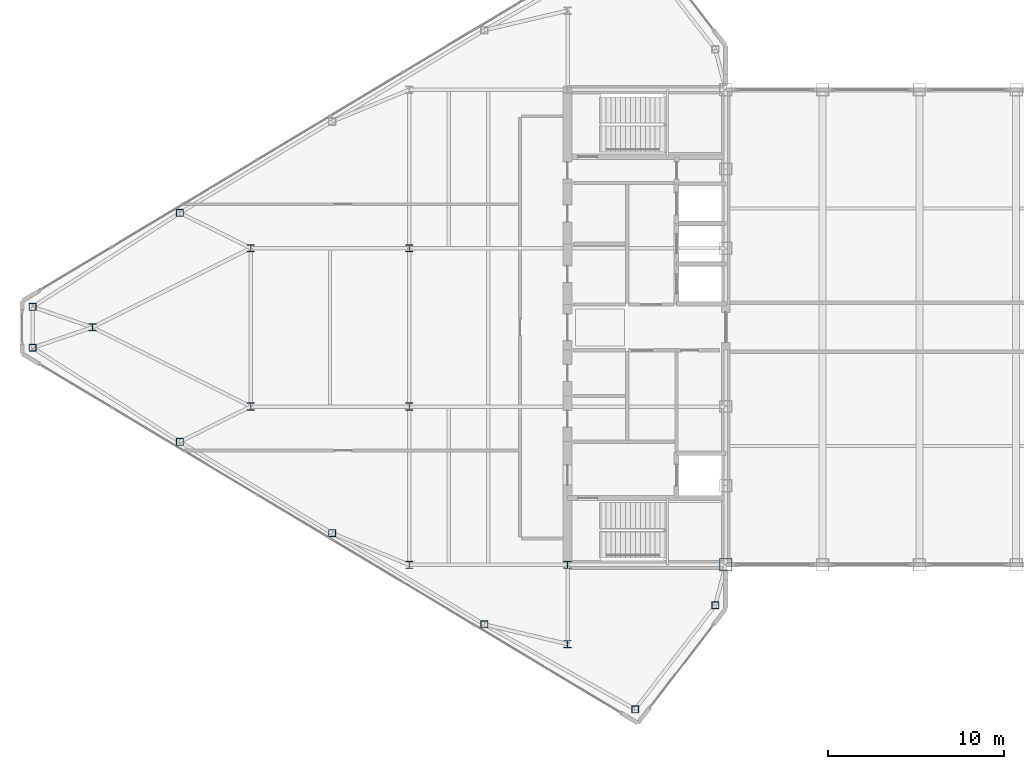
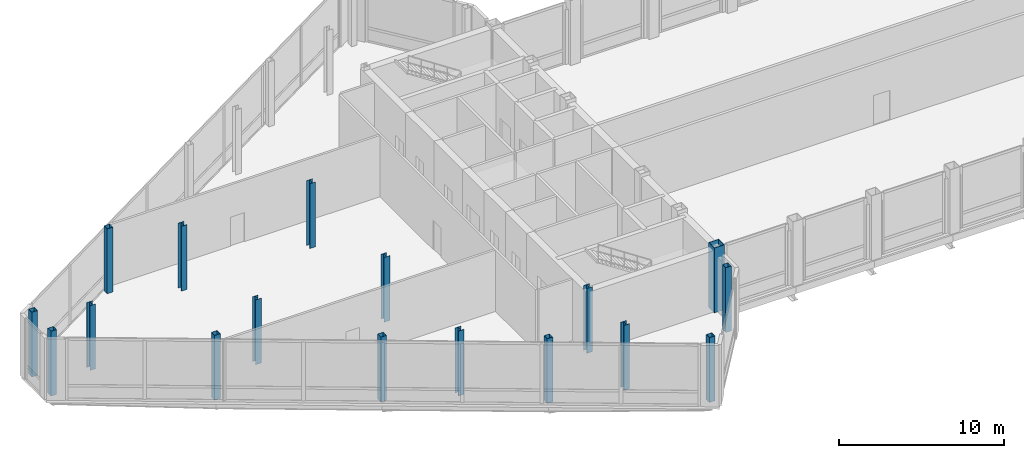
# One storey, part 1 of 29: 17 columns.
"""IFC4 building model written with IfcOpenShell, lengths in metres."""

from ifc_helpers import new_model, si_unit, direction, frame, origin, origin_2d, place, context, subcontext, project, spatial, hollow_rectangle, i_section, extrude, source, transform, mapped, material, material_profile, profile_set, type_object, type_shapes, element, save


model = new_model("IFC4")

# Units and contexts
model_context = context("Model", 3, precision=1e-05, world=origin(), true_north=direction((0.0, 1.0)))
body_context = subcontext(model_context, "Body", "Model", "MODEL_VIEW")
ifc_project = project(units=[si_unit("LENGTHUNIT", "METRE"), si_unit("AREAUNIT", "SQUARE_METRE"), si_unit("VOLUMEUNIT", "CUBIC_METRE"), si_unit("PLANEANGLEUNIT", "RADIAN"), si_unit("MASSUNIT", "GRAM", prefix="KILO")], contexts=[model_context])

# Site, building, storey
site_placement = place(None, origin())
site = spatial("IfcSite", under=ifc_project, at=site_placement, CompositionType="ELEMENT")
building_placement = place(site_placement, origin())
building = spatial("IfcBuilding", under=site, at=building_placement, Name="Seokmaru Belvedere", CompositionType="ELEMENT")
storey_placement = place(building_placement, frame((0.0, 0.0, 269.39990234375)))
storey = spatial("IfcBuildingStorey", under=building, at=storey_placement, Name="L71", CompositionType="ELEMENT", Elevation=269.39990234375)

# Columns
ifc_material = material(Name="Steel SM355 (355 MPa)", Category="steel")
ifc_material_profile_1 = material_profile(ifc_material, hollow_rectangle(XDim=0.699951171875, YDim=0.699951171875, WallThickness=0.030029296875, at=origin_2d()), Name="BOX-700x700x30")
ifc_profile_set_1 = profile_set([ifc_material_profile_1], Name="Steel SM355 (355 MPa)")
column_type_1 = type_object("IfcColumnType", Name="Upper Spine Column BOX-700", PredefinedType="COLUMN", material=ifc_profile_set_1)
shared_shape_1 = source(origin(), body_context, "Body", "SweptSolid", [
    extrude(hollow_rectangle(XDim=0.699951171875, YDim=0.699951171875, WallThickness=0.030029296875, at=origin_2d()), origin(), (0.0, 0.0, 1.0), 4.800048828125),
])
type_shapes(column_type_1, [shared_shape_1])
column_placement = place(storey_placement, frame((-27.5, -13.5, 0.0), z_axis=(0.0, 0.0, 1.0), x_axis=(1.0, 0.0, 0.0)))
element("IfcColumn", 1, at=column_placement, inside=storey, type_object=column_type_1, Name="L71 Column WS1", PredefinedType="COLUMN", context=body_context, shape_type="MappedRepresentation", body=[
    mapped(shared_shape_1, transform((0.0, 0.0, 0.0), scale=1.0)),
])
ifc_material_profile_2 = material_profile(ifc_material, hollow_rectangle(XDim=0.39990234375, YDim=0.39990234375, WallThickness=0.01611328125, at=origin_2d()), Name="HSS-400x400x16")
ifc_profile_set_2 = profile_set([ifc_material_profile_2], Name="Steel SM355 (355 MPa)")
column_type_2 = type_object("IfcColumnType", Name="Perimeter Facet Column HSS-400", PredefinedType="COLUMN", material=ifc_profile_set_2)
shared_shape_2 = source(origin(), body_context, "Body", "SweptSolid", [
    extrude(hollow_rectangle(XDim=0.39990234375, YDim=0.39990234375, WallThickness=0.01611328125, at=origin_2d()), origin(), (0.0, 0.0, 1.0), 4.800048828125),
])
type_shapes(column_type_2, [shared_shape_2])
for number, where, z_axis, x_axis, name in (
    (2, (-28.10009765625, -15.7958984375, 0.0), (0.0, 0.0, 1.0), (1.0, 0.0, 0.0), "L71 Column WF1"),
    (3, (-66.89990234375, 1.160400390625, 0.0), (0.0, 0.0, 1.0), (1.0, 0.0, 0.0), "L71 Column WF4"),
    (4, (-66.89990234375, -1.160400390625, 0.0), (0.0, 0.0, 1.0), (1.0, 0.0, 0.0), "L71 Column WF5"),
    (5, (-32.649658203125, -21.71044921875, 0.0), (0.0, 0.0, 1.0), (1.0, 0.0, 0.0), "L71 Column WF6"),
    (6, (-41.229736328125, -16.888916015625, 0.0), (0.0, 0.0, 1.0), (1.0, 0.0, 0.0), "L71 Column WFLK_S1"),
    (7, (-49.8798828125, -11.698974609375, 0.0), (0.0, 0.0, 1.0), (1.0, 0.0, 0.0), "L71 Column WFLK_S2"),
    (8, (-58.530029296875, -6.5087890625, 0.0), (0.0, 0.0, 1.0), (1.0, 0.0, 0.0), "L71 Column WFLK_S3"),
    (9, (-58.530029296875, 6.5087890625, 0.0), (0.0, 0.0, 1.0), (1.0, 0.0, 0.0), "L71 Column WFLK_N3"),
):
    element("IfcColumn", number, at=place(storey_placement, frame(where, z_axis=z_axis, x_axis=x_axis)), inside=storey, type_object=column_type_2, Name=name, PredefinedType="COLUMN", context=body_context, shape_type="MappedRepresentation", body=[
        mapped(shared_shape_2, transform((0.0, 0.0, 0.0), scale=1.0)),
    ])
ifc_material_profile_3 = material_profile(ifc_material, i_section(OverallWidth=0.39990234375, OverallDepth=0.39990234375, WebThickness=0.012939453125, FlangeThickness=0.02099609375, at=origin_2d()), Name="H-400x400x13x21")
ifc_profile_set_3 = profile_set([ifc_material_profile_3], Name="Steel SM355 (355 MPa)")
column_type_3 = type_object("IfcColumnType", Name="Observatory Column H-400", PredefinedType="COLUMN", material=ifc_profile_set_3)
shared_shape_3 = source(origin(), body_context, "Body", "SweptSolid", [
    extrude(i_section(OverallWidth=0.39990234375, OverallDepth=0.39990234375, WebThickness=0.012939453125, FlangeThickness=0.02099609375, at=origin_2d()), origin(), (0.0, 0.0, 1.0), 4.800048828125),
])
type_shapes(column_type_3, [shared_shape_3])
for number, where, z_axis, x_axis, name in (
    (10, (-36.5, -18.0, 0.0), (0.0, 0.0, 1.0), (1.0, 0.0, 0.0), "L71 Column WC1"),
    (11, (-36.5, -13.5, 0.0), (0.0, 0.0, 1.0), (1.0, 0.0, 0.0), "L71 Column WC2"),
    (12, (-45.5, -13.5, 0.0), (0.0, 0.0, 1.0), (1.0, 0.0, 0.0), "L71 Column WG5_1"),
    (13, (-45.5, -4.5, 0.0), (0.0, 0.0, 1.0), (1.0, 0.0, 0.0), "L71 Column WG5_2"),
    (14, (-45.5, 4.5, 0.0), (0.0, 0.0, 1.0), (1.0, 0.0, 0.0), "L71 Column WG5_3"),
    (15, (-54.5, -4.5, 0.0), (0.0, 0.0, 1.0), (1.0, 0.0, 0.0), "L71 Column WG4P_1"),
    (16, (-54.5, 4.5, 0.0), (0.0, 0.0, 1.0), (1.0, 0.0, 0.0), "L71 Column WG4P_2"),
    (17, (-63.5, 0.0, 0.0), (0.0, 0.0, 1.0), (1.0, 0.0, 0.0), "L71 Column WG3P_1"),
):
    element("IfcColumn", number, at=place(storey_placement, frame(where, z_axis=z_axis, x_axis=x_axis)), inside=storey, type_object=column_type_3, Name=name, PredefinedType="COLUMN", context=body_context, shape_type="MappedRepresentation", body=[
        mapped(shared_shape_3, transform((0.0, 0.0, 0.0), scale=1.0)),
    ])

save(model, "model.ifc")
